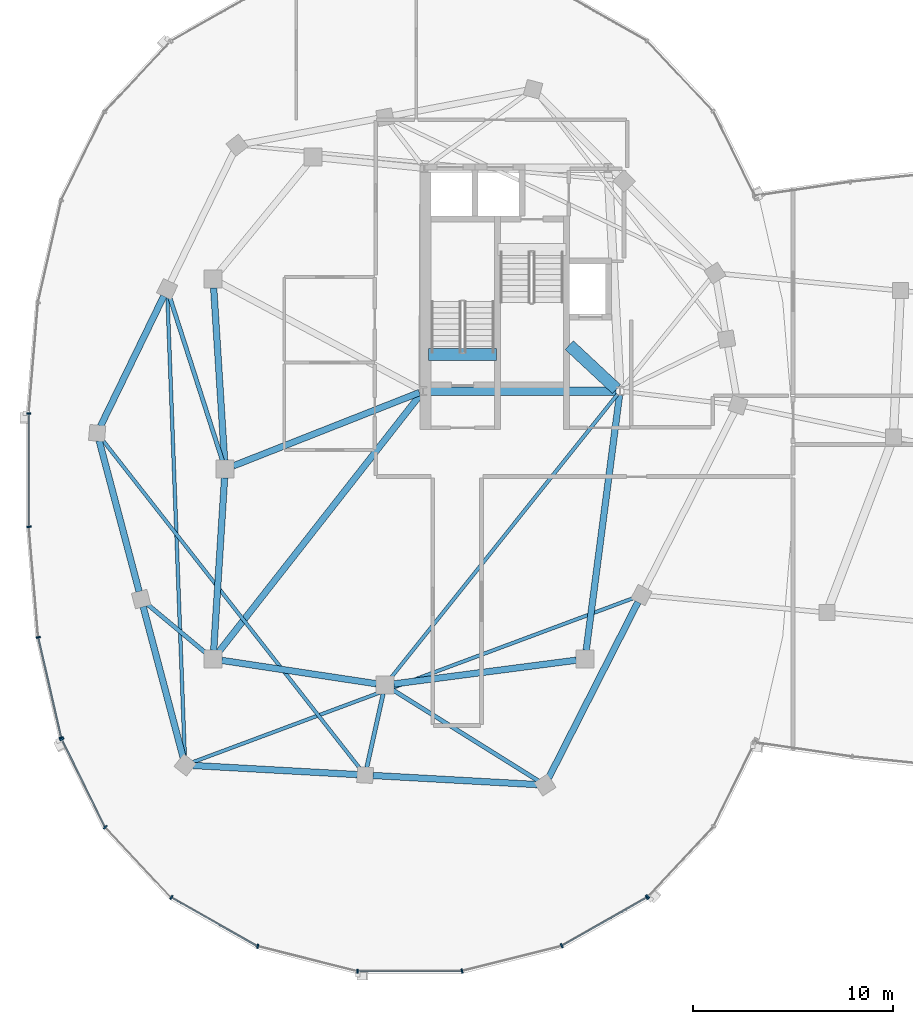
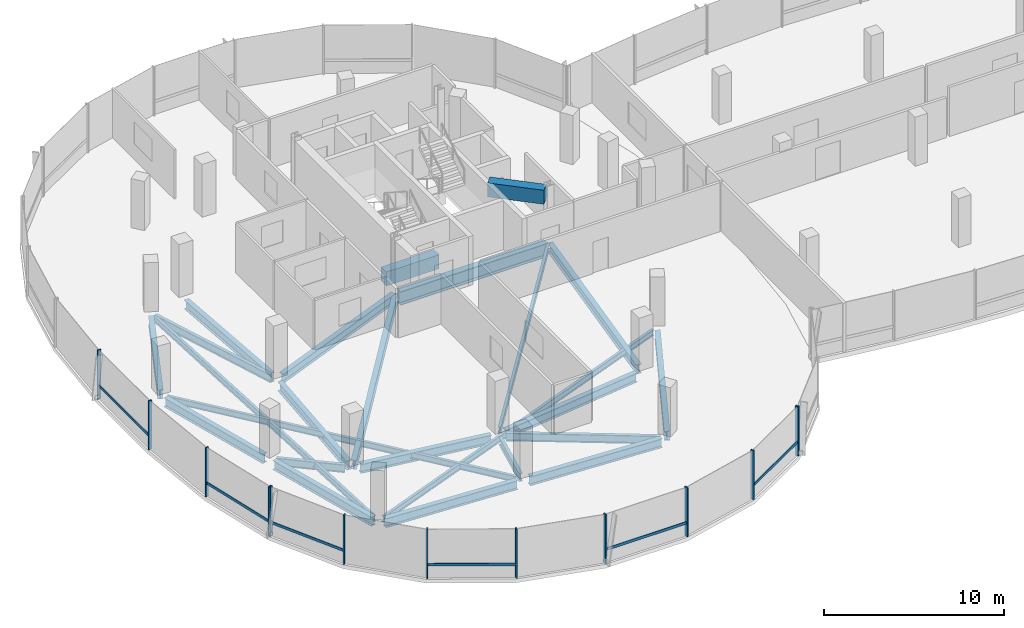
# One storey, part 3 of 25: 24 beams, 19 members, 3 elements without a shape of their own.
"""IFC4 building model written with IfcOpenShell, lengths in metres."""

from ifc_helpers import new_model, si_unit, direction, frame, origin, origin_2d, place, context, subcontext, project, spatial, rectangle, i_section, extrude, material, material_profile, profile_set, type_object, element, aggregate, save


model = new_model("IFC4")

# Units and contexts
model_context = context("Model", 3, precision=1e-05, world=origin(), true_north=direction((0.0, 1.0)))
body_context = subcontext(model_context, "Body", "Model", "MODEL_VIEW")
ifc_project = project(units=[si_unit("LENGTHUNIT", "METRE"), si_unit("AREAUNIT", "SQUARE_METRE"), si_unit("VOLUMEUNIT", "CUBIC_METRE"), si_unit("PLANEANGLEUNIT", "RADIAN"), si_unit("MASSUNIT", "GRAM", prefix="KILO"), si_unit("THERMODYNAMICTEMPERATUREUNIT", "KELVIN"), si_unit("POWERUNIT", "WATT")], contexts=[model_context])

# Site, building, storey
site_placement = place(None, origin())
site = spatial("IfcSite", under=ifc_project, at=site_placement, CompositionType="ELEMENT")
building_placement = place(site_placement, origin())
building = spatial("IfcBuilding", under=site, at=building_placement, Name="Cundina Bronze Exchange", CompositionType="ELEMENT")
storey_placement = place(building_placement, frame((0.0, 0.0, 272.0)))
storey = spatial("IfcBuildingStorey", under=building, at=storey_placement, Name="L72", CompositionType="ELEMENT", Elevation=272.0)

# Beams
ifc_material_1 = material(Name="Concrete C60/75", Category="concrete")
ifc_material_profile_1 = material_profile(ifc_material_1, rectangle(XDim=0.60009765625, YDim=0.949951171875, at=origin_2d()), Name="RC600X950", Category="concrete")
ifc_profile_set_1 = profile_set([ifc_material_profile_1], Name="Concrete C60/75")
beam_type_1 = type_object("IfcBeamType", Name="BM-COUP-RC950", PredefinedType="LINTEL", material=ifc_profile_set_1)
beam_1_placement = place(storey_placement, frame((-31.02001953125, 5.719970703125, -0.47509765625), z_axis=(1.0, 0.0, 0.0), x_axis=(0.0, 1.0, 0.0)))
element("IfcBeam", 1, at=beam_1_placement, inside=storey, type_object=beam_type_1, Name="L72 Stair W1 Landing Header Beam", PredefinedType="LINTEL", context=body_context, shape_type="SweptSolid", body=[
    extrude(rectangle(XDim=0.60009765625, YDim=0.949951171875, at=origin_2d()), origin(), (0.0, 0.0, 1.0), 3.39990234375),
])
beam_2_placement = place(storey_placement, frame((-23.989990234375, 6.199951171875, 2.864990234375), z_axis=(0.731490439815, -0.681851696822, 0.0), x_axis=(0.681851696822, 0.731490439815, 0.0)))
element("IfcBeam", 2, at=beam_2_placement, inside=storey, type_object=beam_type_1, Name="L72 W Core Shear Coupling Lintel Beam", PredefinedType="LINTEL", context=body_context, shape_type="SweptSolid", body=[
    extrude(rectangle(XDim=0.60009765625, YDim=0.949951171875, at=origin_2d()), origin(), (0.0, 0.0, 1.0), 3.226318359375),
])
ifc_material_2 = material(Name="Steel ASTM A992 Grade 50", Category="steel")
ifc_material_profile_2 = material_profile(ifc_material_2, i_section(OverallWidth=0.2119140625, OverallDepth=0.5439453125, WebThickness=0.01318359375, FlangeThickness=0.021240234375, FilletRadius=0.013916015625, at=origin_2d()), Name="W21X83", Category="steel")
ifc_profile_set_2 = profile_set([ifc_material_profile_2], Name="Steel ASTM A992 Grade 50")
beam_type_2 = type_object("IfcBeamType", Name="BM-FLR-W21A", PredefinedType="BEAM", material=ifc_profile_set_2)
beam_3_placement = place(storey_placement, frame((-41.334228515625, 0.4169921875, -0.531982421875), z_axis=(-0.306706012964, 0.951804297958, 0.0), x_axis=(-0.951804297958, -0.306706012964, 0.0)))
element("IfcBeam", 3, at=beam_3_placement, inside=storey, type_object=beam_type_2, Name="L72 Leg W Radial Floor Beam 07", PredefinedType="BEAM", context=body_context, shape_type="SweptSolid", body=[
    extrude(i_section(OverallWidth=0.2119140625, OverallDepth=0.5439453125, WebThickness=0.01318359375, FlangeThickness=0.021240234375, FilletRadius=0.013916015625, at=origin_2d()), origin(), (0.0, 0.0, 1.0), 8.629638671875),
])
beam_4_placement = place(storey_placement, frame((-42.136474609375, -9.219482421875, -0.531982421875), z_axis=(-0.768210910963, 0.640196841821, 0.0), x_axis=(-0.640196841821, -0.768210910963, 0.0)))
element("IfcBeam", 4, at=beam_4_placement, inside=storey, type_object=beam_type_2, Name="L72 Leg W Radial Floor Beam 09", PredefinedType="BEAM", context=body_context, shape_type="SweptSolid", body=[
    extrude(i_section(OverallWidth=0.2119140625, OverallDepth=0.5439453125, WebThickness=0.01318359375, FlangeThickness=0.021240234375, FilletRadius=0.013916015625, at=origin_2d()), origin(), (0.0, 0.0, 1.0), 3.860107421875),
])
beam_5_placement = place(storey_placement, frame((-33.294921875, -11.2275390625, -0.531982421875), z_axis=(-0.216930457819, -0.976187060184, 0.0), x_axis=(0.976187060184, -0.216930457819, 0.0)))
element("IfcBeam", 5, at=beam_5_placement, inside=storey, type_object=beam_type_2, Name="L72 Leg W Radial Floor Beam 11", PredefinedType="BEAM", context=body_context, shape_type="SweptSolid", body=[
    extrude(i_section(OverallWidth=0.2119140625, OverallDepth=0.5439453125, WebThickness=0.01318359375, FlangeThickness=0.021240234375, FilletRadius=0.013916015625, at=origin_2d()), origin(), (0.0, 0.0, 1.0), 3.78369140625),
])
beam_6_placement = place(storey_placement, frame((-32.82861328125, -11.031982421875, -0.531982421875), z_axis=(0.847983963552, -0.530021884038, 0.0), x_axis=(0.530021884038, 0.847983963552, 0.0)))
element("IfcBeam", 6, at=beam_6_placement, inside=storey, type_object=beam_type_2, Name="L72 Leg W Radial Floor Beam 12", PredefinedType="BEAM", context=body_context, shape_type="SweptSolid", body=[
    extrude(i_section(OverallWidth=0.2119140625, OverallDepth=0.5439453125, WebThickness=0.01318359375, FlangeThickness=0.021240234375, FilletRadius=0.013916015625, at=origin_2d()), origin(), (0.0, 0.0, 1.0), 8.608154296875),
])
ifc_material_profile_3 = material_profile(ifc_material_2, i_section(OverallWidth=0.178955078125, OverallDepth=0.409912109375, WebThickness=0.0087890625, FlangeThickness=0.014404296875, FilletRadius=0.010986328125, at=origin_2d()), Name="W16X45", Category="steel")
ifc_profile_set_3 = profile_set([ifc_material_profile_3], Name="Steel ASTM A992 Grade 50")
beam_type_3 = type_object("IfcBeamType", Name="BM-JST-W16", PredefinedType="JOIST", material=ifc_profile_set_3)
beam_7_placement = place(storey_placement, frame((-21.572509765625, 3.746826171875, -0.465087890625), z_axis=(-0.624364266872, -0.781133319129, 0.0), x_axis=(0.781133319129, -0.624364266872, 0.0)))
element("IfcBeam", 7, at=beam_7_placement, inside=storey, type_object=beam_type_3, Name="L72 W Interior Core-to-Ring Joist 2", PredefinedType="JOIST", context=body_context, shape_type="SweptSolid", body=[
    extrude(i_section(OverallWidth=0.178955078125, OverallDepth=0.409912109375, WebThickness=0.0087890625, FlangeThickness=0.014404296875, FilletRadius=0.010986328125, at=origin_2d()), origin(), (0.0, 0.0, 1.0), 18.184814453125),
])
beam_8_placement = place(storey_placement, frame((-44.085205078125, 8.6123046875, -0.465087890625), z_axis=(0.037784872152, -0.999285896746, 0.0), x_axis=(0.999285896746, 0.037784872152, 0.0)))
element("IfcBeam", 8, at=beam_8_placement, inside=storey, type_object=beam_type_3, Name="L72 Leg W Lobe Floor Joist 07-10", PredefinedType="JOIST", context=body_context, shape_type="SweptSolid", body=[
    extrude(i_section(OverallWidth=0.178955078125, OverallDepth=0.409912109375, WebThickness=0.0087890625, FlangeThickness=0.014404296875, FilletRadius=0.010986328125, at=origin_2d()), origin(), (0.0, 0.0, 1.0), 23.041015625),
])
beam_9_placement = place(storey_placement, frame((-47.360595703125, 1.49462890625, -0.465087890625), z_axis=(0.616804005008, -0.78711677622, 0.0), x_axis=(0.78711677622, 0.616804005008, 0.0)))
element("IfcBeam", 9, at=beam_9_placement, inside=storey, type_object=beam_type_3, Name="L72 Leg W Lobe Floor Joist 08-11", PredefinedType="JOIST", context=body_context, shape_type="SweptSolid", body=[
    extrude(i_section(OverallWidth=0.178955078125, OverallDepth=0.409912109375, WebThickness=0.0087890625, FlangeThickness=0.014404296875, FilletRadius=0.010986328125, at=origin_2d()), origin(), (0.0, 0.0, 1.0), 20.948974609375),
])
beam_10_placement = place(storey_placement, frame((-42.83642578125, -14.66455078125, -0.465087890625), z_axis=(0.937127932085, 0.348986015344, 0.0), x_axis=(-0.348986015344, 0.937127932085, 0.0)))
element("IfcBeam", 10, at=beam_10_placement, inside=storey, type_object=beam_type_3, Name="L72 Leg W Lobe Floor Joist 10-13", PredefinedType="JOIST", context=body_context, shape_type="SweptSolid", body=[
    extrude(i_section(OverallWidth=0.178955078125, OverallDepth=0.409912109375, WebThickness=0.0087890625, FlangeThickness=0.014404296875, FilletRadius=0.010986328125, at=origin_2d()), origin(), (0.0, 0.0, 1.0), 23.58056640625),
])
ifc_material_profile_4 = material_profile(ifc_material_2, i_section(OverallWidth=0.324951171875, OverallDepth=0.615966796875, WebThickness=0.013916015625, FlangeThickness=0.021484375, FilletRadius=0.01611328125, at=origin_2d()), Name="W24X117", Category="steel")
ifc_profile_set_4 = profile_set([ifc_material_profile_4], Name="Steel ASTM A992 Grade 50")
beam_type_4 = type_object("IfcBeamType", Name="BM-RING-W24", PredefinedType="USERDEFINED", material=ifc_profile_set_4)
for number, where, z_axis, x_axis, name in (
    (11, (-41.7724609375, 9.06298828125, -0.568115234375), (0.063046519736, -0.998010589297, 0.0), (0.998010589297, 0.063046519736, 0.0), "L72 W Inner Structural Ring Girder 03"),
    (12, (-41.2275390625, -0.43701171875, -0.568115234375), (-0.063046519736, -0.998010589297, 0.0), (0.998010589297, -0.063046519736, 0.0), "L72 W Inner Structural Ring Girder 04"),
):
    element("IfcBeam", number, at=place(storey_placement, frame(where, z_axis=z_axis, x_axis=x_axis)), inside=storey, type_object=beam_type_4, Name=name, ObjectType="GIRDER", PredefinedType="USERDEFINED", context=body_context, shape_type="SweptSolid", body=[
        extrude(i_section(OverallWidth=0.324951171875, OverallDepth=0.615966796875, WebThickness=0.013916015625, FlangeThickness=0.021484375, FilletRadius=0.01611328125, at=origin_2d()), origin(), (0.0, 0.0, 1.0), 8.64306640625),
    ])
beam_11_placement = place(storey_placement, frame((-41.366943359375, -9.5654296875, -0.568115234375), z_axis=(0.988764903598, -0.149478979839, 0.0), x_axis=(0.149478979839, 0.988764903598, 0.0)))
element("IfcBeam", 13, at=beam_11_placement, inside=storey, type_object=beam_type_4, Name="L72 W Inner Structural Ring Girder 05", ObjectType="GIRDER", PredefinedType="USERDEFINED", context=body_context, shape_type="SweptSolid", body=[
    extrude(i_section(OverallWidth=0.324951171875, OverallDepth=0.615966796875, WebThickness=0.013916015625, FlangeThickness=0.021484375, FilletRadius=0.01611328125, at=origin_2d()), origin(), (0.0, 0.0, 1.0), 7.82177734375),
])
beam_12_placement = place(storey_placement, frame((-32.765625, -10.743408203125, -0.568115234375), z_axis=(0.991656498582, 0.128908451316, 0.0), x_axis=(-0.128908451316, 0.991656498582, 0.0)))
element("IfcBeam", 14, at=beam_12_placement, inside=storey, type_object=beam_type_4, Name="L72 W Inner Structural Ring Girder 06", ObjectType="GIRDER", PredefinedType="USERDEFINED", context=body_context, shape_type="SweptSolid", body=[
    extrude(i_section(OverallWidth=0.324951171875, OverallDepth=0.615966796875, WebThickness=0.013916015625, FlangeThickness=0.021484375, FilletRadius=0.01611328125, at=origin_2d()), origin(), (0.0, 0.0, 1.0), 9.208251953125),
])
beam_13_placement = place(storey_placement, frame((-23.143310546875, -9.065673828125, -0.568115234375), z_axis=(0.129501251979, 0.991579258424, 0.0), x_axis=(-0.991579258424, 0.129501251979, 0.0)))
element("IfcBeam", 15, at=beam_13_placement, inside=storey, type_object=beam_type_4, Name="L72 W Inner Structural Ring Girder 07", ObjectType="GIRDER", PredefinedType="USERDEFINED", context=body_context, shape_type="SweptSolid", body=[
    extrude(i_section(OverallWidth=0.324951171875, OverallDepth=0.615966796875, WebThickness=0.013916015625, FlangeThickness=0.021484375, FilletRadius=0.01611328125, at=origin_2d()), origin(), (0.0, 0.0, 1.0), 12.8798828125),
])
beam_14_placement = place(storey_placement, frame((-31.482421875, 3.828125, -0.568115234375), z_axis=(-0.930404106569, -0.366535398673, 0.0), x_axis=(0.366535398673, -0.930404106569, 0.0)))
element("IfcBeam", 16, at=beam_14_placement, inside=storey, type_object=beam_type_4, Name="L72 W Core-to-Waist Tie Beam 1", ObjectType="GIRDER", PredefinedType="USERDEFINED", context=body_context, shape_type="SweptSolid", body=[
    extrude(i_section(OverallWidth=0.324951171875, OverallDepth=0.615966796875, WebThickness=0.013916015625, FlangeThickness=0.021484375, FilletRadius=0.01611328125, at=origin_2d()), origin(), (0.0, 0.0, 1.0), 10.00634765625),
])
beam_15_placement = place(storey_placement, frame((-31.4208984375, 3.74560546875, -0.568115234375), z_axis=(-0.616782900053, -0.787133314123, 0.0), x_axis=(0.787133314123, -0.616782900053, 0.0)))
element("IfcBeam", 17, at=beam_15_placement, inside=storey, type_object=beam_type_4, Name="L72 W Core-to-Waist Tie Beam 3", ObjectType="GIRDER", PredefinedType="USERDEFINED", context=body_context, shape_type="SweptSolid", body=[
    extrude(i_section(OverallWidth=0.324951171875, OverallDepth=0.615966796875, WebThickness=0.013916015625, FlangeThickness=0.021484375, FilletRadius=0.01611328125, at=origin_2d()), origin(), (0.0, 0.0, 1.0), 16.3896484375),
])
beam_16_placement = place(storey_placement, frame((-44.26953125, 8.65087890625, -0.568115234375), z_axis=(-0.437216986791, -0.899356050995, 0.0), x_axis=(0.899356050995, -0.437216986791, 0.0)))
element("IfcBeam", 18, at=beam_16_placement, inside=storey, type_object=beam_type_4, Name="L72 W Perimeter Ring Girder 07", ObjectType="GIRDER", PredefinedType="USERDEFINED", context=body_context, shape_type="SweptSolid", body=[
    extrude(i_section(OverallWidth=0.324951171875, OverallDepth=0.615966796875, WebThickness=0.013916015625, FlangeThickness=0.021484375, FilletRadius=0.01611328125, at=origin_2d()), origin(), (0.0, 0.0, 1.0), 7.2294921875),
])
for number, where, z_axis, x_axis, name in (
    (19, (-47.50048828125, 1.425048828125, -0.568115234375), (0.256183793797, -0.966628089699, 0.0), (0.966628089699, 0.256183793797, 0.0), "L72 W Perimeter Ring Girder 08"),
    (20, (-45.300537109375, -6.875, -0.568115234375), (0.256212999207, -0.966620348967, 0.0), (0.966620348967, 0.256212999207, 0.0), "L72 W Perimeter Ring Girder 09"),
):
    element("IfcBeam", number, at=place(storey_placement, frame(where, z_axis=z_axis, x_axis=x_axis)), inside=storey, type_object=beam_type_4, Name=name, ObjectType="GIRDER", PredefinedType="USERDEFINED", context=body_context, shape_type="SweptSolid", body=[
        extrude(i_section(OverallWidth=0.324951171875, OverallDepth=0.615966796875, WebThickness=0.013916015625, FlangeThickness=0.021484375, FilletRadius=0.01611328125, at=origin_2d()), origin(), (0.0, 0.0, 1.0), 7.810791015625),
    ])
for number, where, z_axis, x_axis, name in (
    (21, (-42.8125, -14.821533203125, -0.568115234375), (0.998459806018, -0.055479868117, 0.0), (0.055479868117, 0.998459806018, 0.0), "L72 W Perimeter Ring Girder 10"),
    (22, (-33.8125, -15.321533203125, -0.568115234375), (0.998459806018, -0.055479868117, 0.0), (0.055479868117, 0.998459806018, 0.0), "L72 W Perimeter Ring Girder 11"),
):
    element("IfcBeam", number, at=place(storey_placement, frame(where, z_axis=z_axis, x_axis=x_axis)), inside=storey, type_object=beam_type_4, Name=name, ObjectType="GIRDER", PredefinedType="USERDEFINED", context=body_context, shape_type="SweptSolid", body=[
        extrude(i_section(OverallWidth=0.324951171875, OverallDepth=0.615966796875, WebThickness=0.013916015625, FlangeThickness=0.021484375, FilletRadius=0.01611328125, at=origin_2d()), origin(), (0.0, 0.0, 1.0), 8.23779296875),
    ])
beam_17_placement = place(storey_placement, frame((-25.0244140625, -15.4541015625, -0.568115234375), z_axis=(0.452839263805, 0.891592171991, 0.0), x_axis=(-0.891592171991, 0.452839263805, 0.0)))
element("IfcBeam", 23, at=beam_17_placement, inside=storey, type_object=beam_type_4, Name="L72 W Perimeter Ring Girder 12", ObjectType="GIRDER", PredefinedType="USERDEFINED", context=body_context, shape_type="SweptSolid", body=[
    extrude(i_section(OverallWidth=0.324951171875, OverallDepth=0.615966796875, WebThickness=0.013916015625, FlangeThickness=0.021484375, FilletRadius=0.01611328125, at=origin_2d()), origin(), (0.0, 0.0, 1.0), 9.879150390625),
])
ifc_material_profile_5 = material_profile(ifc_material_2, i_section(OverallWidth=0.41796875, OverallDepth=0.927001953125, WebThickness=0.019287109375, FlangeThickness=0.031982421875, FilletRadius=0.02392578125, at=origin_2d()), Name="W36X231", Category="steel")
ifc_profile_set_5 = profile_set([ifc_material_profile_5], Name="Steel ASTM A992 Grade 50")
beam_type_5 = type_object("IfcBeamType", Name="BM-WRN-W36B", PredefinedType="USERDEFINED", material=ifc_profile_set_5)
beam_18_placement = place(storey_placement, frame((-31.10400390625, 3.89990234375, -0.723388671875), z_axis=(1.0, 0.0, 0.0), x_axis=(0.0, 1.0, 0.0)))
element("IfcBeam", 24, at=beam_18_placement, inside=storey, type_object=beam_type_5, Name="L72 W Core Perimeter Tie Girder 1", ObjectType="GIRDER", PredefinedType="USERDEFINED", context=body_context, shape_type="SweptSolid", body=[
    extrude(i_section(OverallWidth=0.41796875, OverallDepth=0.927001953125, WebThickness=0.019287109375, FlangeThickness=0.031982421875, FilletRadius=0.02392578125, at=origin_2d()), origin(), (0.0, 0.0, 1.0), 9.4580078125),
])

# Curtain wall, members
ifc_material_3 = material(Name="Anodised Bronze Aluminium 6063-T6", Category="aluminium")
curtain_wall_type = type_object("IfcCurtainWallType", Name="CWS-SKG-BRG", PredefinedType="NOTDEFINED", material=ifc_material_3)
curtain_wall_1_placement = place(storey_placement, origin())
curtain_wall_1 = element("IfcCurtainWall", 25, at=curtain_wall_1_placement, inside=storey, type_object=curtain_wall_type, Name="L72 CW-06 Curtain Wall Run CWR-L72-W2", PredefinedType="NOTDEFINED")
ifc_material_profile_6 = material_profile(ifc_material_3, rectangle(XDim=0.074951171875, YDim=0.219970703125, at=origin_2d()), Name="AL75X220", Category="aluminium")
ifc_profile_set_6 = profile_set([ifc_material_profile_6], Name="Anodised Bronze Aluminium 6063-T6")
member_type_1 = type_object("IfcMemberType", Name="CWM-MUL-220", PredefinedType="MULLION", material=ifc_profile_set_6)
member_1_placement = place(storey_placement, frame((-51.01904296875, 2.79150390625, 0.0), z_axis=(0.0, 0.0, 1.0), x_axis=(0.0, -1.0, 0.0)))
member_1 = element("IfcMember", 26, at=member_1_placement, type_object=member_type_1, Name="CW-06 Mullion 5", PredefinedType="MULLION", context=body_context, shape_type="SweptSolid", body=[
    extrude(rectangle(XDim=0.074951171875, YDim=0.219970703125, at=origin_2d()), origin(), (0.0, 0.0, 1.0), 3.340087890625),
])
member_2_placement = place(storey_placement, frame((-51.01513671875, -2.885498046875, 0.0), z_axis=(0.0, 0.0, 1.0), x_axis=(0.083677843332, -0.99649285925, 0.0)))
member_2 = element("IfcMember", 27, at=member_2_placement, type_object=member_type_1, Name="CW-06 Mullion 6", PredefinedType="MULLION", context=body_context, shape_type="SweptSolid", body=[
    extrude(rectangle(XDim=0.074951171875, YDim=0.219970703125, at=origin_2d()), origin(), (0.0, 0.0, 1.0), 3.340087890625),
])
member_3_placement = place(storey_placement, frame((-50.544677734375, -8.4111328125, 0.0), z_axis=(0.0, 0.0, 1.0), x_axis=(0.223250116011, -0.974761194191, 0.0)))
member_3 = element("IfcMember", 28, at=member_3_placement, type_object=member_type_1, Name="CW-06 Mullion 7", PredefinedType="MULLION", context=body_context, shape_type="SweptSolid", body=[
    extrude(rectangle(XDim=0.074951171875, YDim=0.219970703125, at=origin_2d()), origin(), (0.0, 0.0, 1.0), 3.340087890625),
])
member_4_placement = place(storey_placement, frame((-49.39404296875, -13.433837890625, 0.0), z_axis=(0.0, 0.0, 1.0), x_axis=(0.223250116011, -0.974761194191, 0.0)))
member_4 = element("IfcMember", 29, at=member_4_placement, type_object=member_type_1, Name="CW-06 End Mullion", PredefinedType="MULLION", context=body_context, shape_type="SweptSolid", body=[
    extrude(rectangle(XDim=0.074951171875, YDim=0.219970703125, at=origin_2d()), origin(), (0.0, 0.0, 1.0), 3.340087890625),
])

curtain_wall_2_placement = place(storey_placement, origin())
curtain_wall_2 = element("IfcCurtainWall", 30, at=curtain_wall_2_placement, inside=storey, type_object=curtain_wall_type, Name="L72 CW-06 Curtain Wall Run CWR-L72-W3", PredefinedType="NOTDEFINED")
member_5_placement = place(storey_placement, frame((-49.369140625, -13.50390625, 0.0), z_axis=(0.0, 0.0, 1.0), x_axis=(0.440566004113, -0.897720221461, 0.0)))
member_5 = element("IfcMember", 31, at=member_5_placement, type_object=member_type_1, Name="CW-06 Mullion 1", PredefinedType="MULLION", context=body_context, shape_type="SweptSolid", body=[
    extrude(rectangle(XDim=0.074951171875, YDim=0.219970703125, at=origin_2d()), origin(), (0.0, 0.0, 1.0), 3.340087890625),
])
member_6_placement = place(storey_placement, frame((-47.1962890625, -17.910400390625, 0.0), z_axis=(0.0, 0.0, 1.0), x_axis=(0.684292606175, -0.729207535023, 0.0)))
member_6 = element("IfcMember", 32, at=member_6_placement, type_object=member_type_1, Name="CW-06 Mullion 2", PredefinedType="MULLION", context=body_context, shape_type="SweptSolid", body=[
    extrude(rectangle(XDim=0.074951171875, YDim=0.219970703125, at=origin_2d()), origin(), (0.0, 0.0, 1.0), 3.340087890625),
])
member_7_placement = place(storey_placement, frame((-43.88916015625, -21.419921875, 0.0), z_axis=(0.0, 0.0, 1.0), x_axis=(0.86958112538, -0.493790103568, 0.0)))
member_7 = element("IfcMember", 33, at=member_7_placement, type_object=member_type_1, Name="CW-06 Mullion 3", PredefinedType="MULLION", context=body_context, shape_type="SweptSolid", body=[
    extrude(rectangle(XDim=0.074951171875, YDim=0.219970703125, at=origin_2d()), origin(), (0.0, 0.0, 1.0), 3.340087890625),
])
member_8_placement = place(storey_placement, frame((-39.5703125, -23.86181640625, 0.0), z_axis=(0.0, 0.0, 1.0), x_axis=(0.969744325821, -0.244122802168, 0.0)))
member_8 = element("IfcMember", 34, at=member_8_placement, type_object=member_type_1, Name="CW-06 Mullion 4", PredefinedType="MULLION", context=body_context, shape_type="SweptSolid", body=[
    extrude(rectangle(XDim=0.074951171875, YDim=0.219970703125, at=origin_2d()), origin(), (0.0, 0.0, 1.0), 3.340087890625),
])
member_9_placement = place(storey_placement, frame((-34.576416015625, -25.110107421875, 0.0), z_axis=(0.0, 0.0, 1.0), x_axis=(1.0, 0.0, 0.0)))
member_9 = element("IfcMember", 35, at=member_9_placement, type_object=member_type_1, Name="CW-06 Mullion 5", PredefinedType="MULLION", context=body_context, shape_type="SweptSolid", body=[
    extrude(rectangle(XDim=0.074951171875, YDim=0.219970703125, at=origin_2d()), origin(), (0.0, 0.0, 1.0), 3.340087890625),
])
member_10_placement = place(storey_placement, frame((-29.351806640625, -25.10107421875, 0.0), z_axis=(0.0, 0.0, 1.0), x_axis=(0.969744325821, 0.244122802168, 0.0)))
member_10 = element("IfcMember", 36, at=member_10_placement, type_object=member_type_1, Name="CW-06 Mullion 6", PredefinedType="MULLION", context=body_context, shape_type="SweptSolid", body=[
    extrude(rectangle(XDim=0.074951171875, YDim=0.219970703125, at=origin_2d()), origin(), (0.0, 0.0, 1.0), 3.340087890625),
])
member_11_placement = place(storey_placement, frame((-24.365478515625, -23.8359375, 0.0), z_axis=(0.0, 0.0, 1.0), x_axis=(0.86958112538, 0.493790103568, 0.0)))
member_11 = element("IfcMember", 37, at=member_11_placement, type_object=member_type_1, Name="CW-06 Mullion 7", PredefinedType="MULLION", context=body_context, shape_type="SweptSolid", body=[
    extrude(rectangle(XDim=0.074951171875, YDim=0.219970703125, at=origin_2d()), origin(), (0.0, 0.0, 1.0), 3.340087890625),
])
member_12_placement = place(storey_placement, frame((-20.11083984375, -21.419921875, 0.0), z_axis=(0.0, 0.0, 1.0), x_axis=(0.86958112538, 0.493790103568, 0.0)))
member_12 = element("IfcMember", 38, at=member_12_placement, type_object=member_type_1, Name="CW-06 End Mullion", PredefinedType="MULLION", context=body_context, shape_type="SweptSolid", body=[
    extrude(rectangle(XDim=0.074951171875, YDim=0.219970703125, at=origin_2d()), origin(), (0.0, 0.0, 1.0), 3.340087890625),
])

# Curtain wall, member
curtain_wall_3_placement = place(storey_placement, origin())
curtain_wall_3 = element("IfcCurtainWall", 39, at=curtain_wall_3_placement, inside=storey, type_object=curtain_wall_type, Name="L72 CW-06 Curtain Wall Run CWR-L72-W4", PredefinedType="NOTDEFINED")
member_13_placement = place(storey_placement, frame((-20.059814453125, -21.3798828125, 0.0), z_axis=(0.0, 0.0, 1.0), x_axis=(0.684292606175, 0.729207535023, 0.0)))
member_13 = element("IfcMember", 40, at=member_13_placement, type_object=member_type_1, Name="CW-06 Mullion 1", PredefinedType="MULLION", context=body_context, shape_type="SweptSolid", body=[
    extrude(rectangle(XDim=0.074951171875, YDim=0.219970703125, at=origin_2d()), origin(), (0.0, 0.0, 1.0), 3.340087890625),
])
aggregate(curtain_wall_3, [member_13])

# Member
ifc_material_profile_7 = material_profile(ifc_material_3, rectangle(XDim=0.070068359375, YDim=0.179931640625, at=origin_2d()), Name="AL70X180", Category="aluminium")
ifc_profile_set_7 = profile_set([ifc_material_profile_7], Name="Anodised Bronze Aluminium 6063-T6")
member_type_2 = type_object("IfcMemberType", Name="CWM-TRN-180", PredefinedType="USERDEFINED", material=ifc_profile_set_7)
member_14_placement = place(storey_placement, frame((-51.01904296875, 2.750244140625, 0.919921875), z_axis=(0.0, -1.0, 0.0), x_axis=(1.0, 0.0, 0.0)))
member_14 = element("IfcMember", 41, at=member_14_placement, type_object=member_type_2, Name="CW-06 Spandrel Transom 5", ObjectType="TRANSOM", PredefinedType="USERDEFINED", context=body_context, shape_type="SweptSolid", body=[
    extrude(rectangle(XDim=0.070068359375, YDim=0.179931640625, at=origin_2d()), origin(), (0.0, 0.0, 1.0), 5.5830078125),
])

member_15_placement = place(storey_placement, frame((-50.535400390625, -8.451416015625, 0.919921875), z_axis=(0.223283702293, -0.974753501297, 0.0), x_axis=(0.974753501297, 0.223283702293, 0.0)))
member_15 = element("IfcMember", 42, at=member_15_placement, type_object=member_type_2, Name="CW-06 Spandrel Transom 7", ObjectType="TRANSOM", PredefinedType="USERDEFINED", context=body_context, shape_type="SweptSolid", body=[
    extrude(rectangle(XDim=0.070068359375, YDim=0.179931640625, at=origin_2d()), origin(), (0.0, 0.0, 1.0), 5.070068359375),
])

aggregate(curtain_wall_1, [member_1, member_14, member_2, member_3, member_4, member_15])

member_16_placement = place(storey_placement, frame((-49.35107421875, -13.541015625, 0.919921875), z_axis=(0.440554408939, -0.897725911826, 0.0), x_axis=(0.897725911826, 0.440554408939, 0.0)))
member_16 = element("IfcMember", 43, at=member_16_placement, type_object=member_type_2, Name="CW-06 Spandrel Transom 1", ObjectType="TRANSOM", PredefinedType="USERDEFINED", context=body_context, shape_type="SweptSolid", body=[
    extrude(rectangle(XDim=0.070068359375, YDim=0.179931640625, at=origin_2d()), origin(), (0.0, 0.0, 1.0), 4.848388671875),
])

member_17_placement = place(storey_placement, frame((-43.853271484375, -21.440185546875, 0.919921875), z_axis=(0.869557366176, -0.493831941989, 0.0), x_axis=(0.493831941989, 0.869557366176, 0.0)))
member_17 = element("IfcMember", 44, at=member_17_placement, type_object=member_type_2, Name="CW-06 Spandrel Transom 3", ObjectType="TRANSOM", PredefinedType="USERDEFINED", context=body_context, shape_type="SweptSolid", body=[
    extrude(rectangle(XDim=0.070068359375, YDim=0.179931640625, at=origin_2d()), origin(), (0.0, 0.0, 1.0), 4.892822265625),
])

member_18_placement = place(storey_placement, frame((-34.53515625, -25.110107421875, 0.919921875), z_axis=(1.0, 0.0, 0.0), x_axis=(0.0, 1.0, 0.0)))
member_18 = element("IfcMember", 45, at=member_18_placement, type_object=member_type_2, Name="CW-06 Spandrel Transom 5", ObjectType="TRANSOM", PredefinedType="USERDEFINED", context=body_context, shape_type="SweptSolid", body=[
    extrude(rectangle(XDim=0.070068359375, YDim=0.179931640625, at=origin_2d()), origin(), (0.0, 0.0, 1.0), 5.153076171875),
])

member_19_placement = place(storey_placement, frame((-24.32958984375, -23.815673828125, 0.919921875), z_axis=(0.869558105282, 0.493830640542, 0.0), x_axis=(-0.493830640542, 0.869558105282, 0.0)))
member_19 = element("IfcMember", 46, at=member_19_placement, type_object=member_type_2, Name="CW-06 Spandrel Transom 7", ObjectType="TRANSOM", PredefinedType="USERDEFINED", context=body_context, shape_type="SweptSolid", body=[
    extrude(rectangle(XDim=0.070068359375, YDim=0.179931640625, at=origin_2d()), origin(), (0.0, 0.0, 1.0), 4.810302734375),
])

aggregate(curtain_wall_2, [member_5, member_16, member_6, member_7, member_17, member_8, member_9, member_18, member_10, member_11, member_12, member_19])

save(model, "model.ifc")
